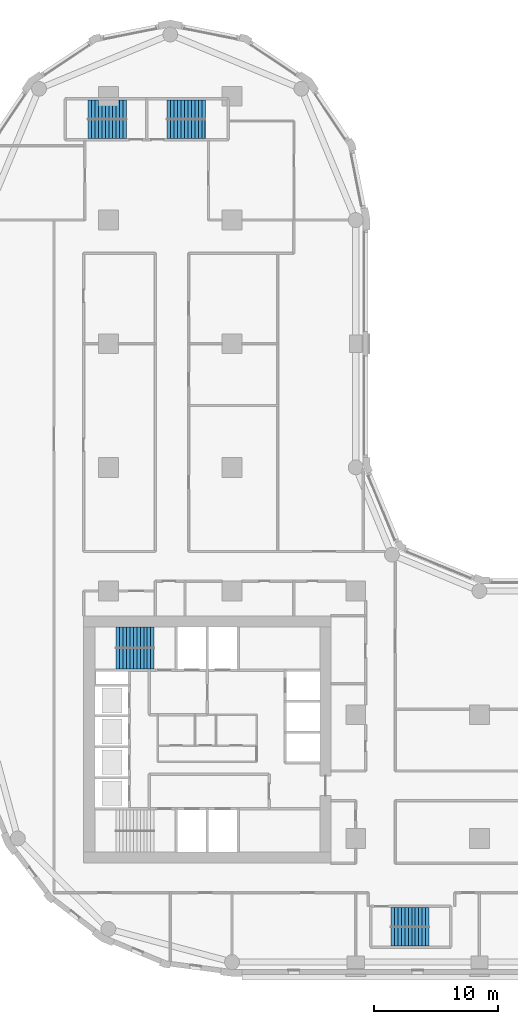
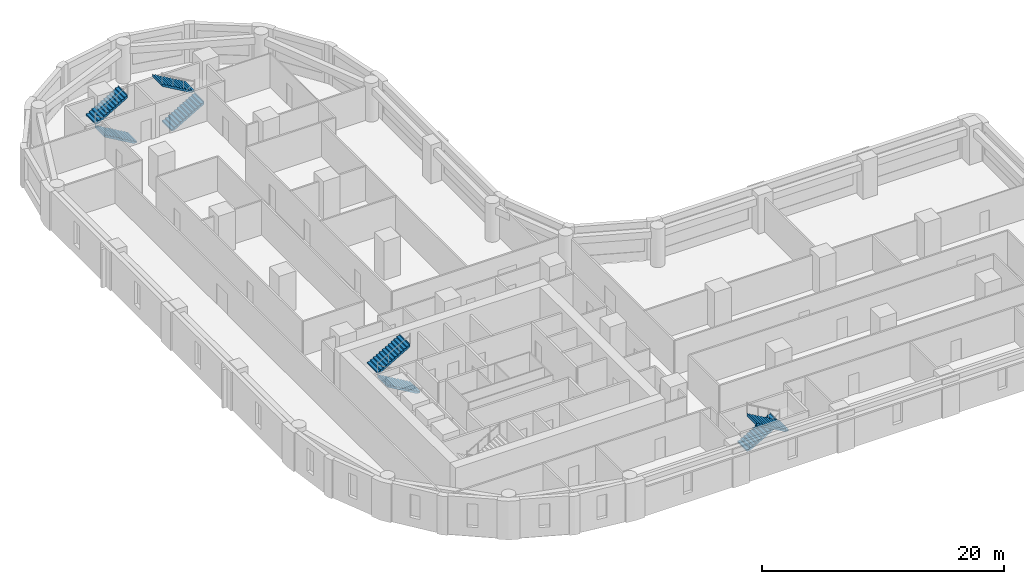
# One storey, part 8 of 10: 8 stair flights, 4 elements without a shape of their own.
"""IFC4 building model written with IfcOpenShell, lengths in metres."""

from ifc_helpers import new_model, si_unit, direction, frame, origin, place, context, subcontext, project, spatial, polyline, outline, extrude, material, type_object, element, aggregate, save


model = new_model("IFC4")

# Units and contexts
model_context = context("Model", 3, precision=1e-05, world=origin(), true_north=direction((0.0, 1.0)))
body_context = subcontext(model_context, "Body", "Model", "MODEL_VIEW")
ifc_project = project(units=[si_unit("LENGTHUNIT", "METRE"), si_unit("AREAUNIT", "SQUARE_METRE"), si_unit("VOLUMEUNIT", "CUBIC_METRE"), si_unit("PLANEANGLEUNIT", "RADIAN"), si_unit("MASSUNIT", "GRAM", prefix="KILO")], contexts=[model_context])

# Site, building, storey
site_placement = place(None, origin())
site = spatial("IfcSite", under=ifc_project, at=site_placement, CompositionType="ELEMENT")
building_placement = place(site_placement, origin())
building = spatial("IfcBuilding", under=site, at=building_placement, Name="Qaws Garden Tower", CompositionType="ELEMENT")
storey_placement = place(building_placement, frame((0.0, 0.0, 113.39990234375)))
storey = spatial("IfcBuildingStorey", under=building, at=storey_placement, Name="L28", CompositionType="ELEMENT", Elevation=113.39990234375)

# Stair, stair flights
ifc_material_1 = material(Name="Concrete C40", Category="concrete")
stair_type_1 = type_object("IfcStairType", Name="Exit stair 1350", PredefinedType="HALF_TURN_STAIR", material=ifc_material_1)
placement = place(storey_placement, origin())
stair_1 = element("IfcStair", 1, at=placement, inside=storey, type_object=stair_type_1, Name="Stair 5", PredefinedType="HALF_TURN_STAIR")
ifc_material_2 = material(Name="Concrete C40", Category="concrete")
stair_flight_type_1 = type_object("IfcStairFlightType", Name="Stair flight 1350", PredefinedType="STRAIGHT", material=ifc_material_2)
stair_flight_1_placement = place(storey_placement, frame((32.85009765625, 3.625, 0.0), z_axis=(0.0, 0.0, 1.0), x_axis=(1.0, 0.0, 0.0)))
stair_flight_1 = element("IfcStairFlight", 2, at=stair_flight_1_placement, type_object=stair_flight_type_1, Name="ST5 flight 1", NumberOfRisers=12, NumberOfTreads=11, PredefinedType="STRAIGHT", RiserHeight=0.1625, TreadLength=0.28, context=body_context, shape_type="SweptSolid", body=[
    extrude(outline(polyline([(-0.0029296875, 0.0), (-0.0029296875, 0.16259765625), (0.0, 0.16259765625), (0.280029296875, 0.16259765625), (0.280029296875, 0.324951171875), (0.56005859375, 0.324951171875), (0.56005859375, 0.487548828125), (0.840087890625, 0.487548828125), (0.840087890625, 0.64990234375), (1.1201171875, 0.64990234375), (1.1201171875, 0.8125), (1.39990234375, 0.8125), (1.39990234375, 0.97509765625), (1.679931640625, 0.97509765625), (1.679931640625, 1.137451171875), (1.9599609375, 1.137451171875), (1.9599609375, 1.300048828125), (2.239990234375, 1.300048828125), (2.239990234375, 1.46240234375), (2.52001953125, 1.46240234375), (2.52001953125, 1.625), (2.800048828125, 1.625), (2.800048828125, 1.78759765625), (3.080078125, 1.78759765625), (3.080078125, 1.949951171875), (3.0830078125, 1.949951171875), (3.0830078125, 1.6142578125), (3.080078125, 1.6142578125), (0.298583984375, 0.0), (-0.0029296875, 0.0)])), frame((0.0, 0.77490234375, 0.0), z_axis=(0.0, -1.0, 0.0), x_axis=(1.0, 0.0, 0.0)), (0.0, 0.0, 1.0), 1.550048828125),
])
stair_flight_2_placement = place(storey_placement, frame((35.929931640625, 2.074951171875, 1.9501953125), z_axis=(0.0, 0.0, 1.0), x_axis=(-1.0, 0.0, 0.0)))
stair_flight_2 = element("IfcStairFlight", 3, at=stair_flight_2_placement, type_object=stair_flight_type_1, Name="ST5 flight 2", NumberOfRisers=12, NumberOfTreads=11, PredefinedType="STRAIGHT", RiserHeight=0.1625, TreadLength=0.28, context=body_context, shape_type="SweptSolid", body=[
    extrude(outline(polyline([(-0.0029296875, 0.0), (-0.0029296875, 0.16259765625), (0.0, 0.16259765625), (0.280029296875, 0.16259765625), (0.280029296875, 0.324951171875), (0.56005859375, 0.324951171875), (0.56005859375, 0.487548828125), (0.840087890625, 0.487548828125), (0.840087890625, 0.64990234375), (1.1201171875, 0.64990234375), (1.1201171875, 0.8125), (1.39990234375, 0.8125), (1.39990234375, 0.97509765625), (1.679931640625, 0.97509765625), (1.679931640625, 1.137451171875), (1.9599609375, 1.137451171875), (1.9599609375, 1.300048828125), (2.239990234375, 1.300048828125), (2.239990234375, 1.46240234375), (2.52001953125, 1.46240234375), (2.52001953125, 1.625), (2.800048828125, 1.625), (2.800048828125, 1.78759765625), (3.080078125, 1.78759765625), (3.080078125, 1.949951171875), (3.0830078125, 1.949951171875), (3.0830078125, 1.6142578125), (3.080078125, 1.6142578125), (0.298583984375, 0.0), (-0.0029296875, 0.0)])), frame((0.0, 0.77490234375, 0.0), z_axis=(0.0, -1.0, 0.0), x_axis=(1.0, 0.0, 0.0)), (0.0, 0.0, 1.0), 1.550048828125),
])
aggregate(stair_1, [stair_flight_1, stair_flight_2])

stair_2 = element("IfcStair", 4, at=placement, inside=storey, type_object=stair_type_1, Name="Stair 6", PredefinedType="HALF_TURN_STAIR")
stair_flight_3_placement = place(storey_placement, frame((11.449951171875, 67.375, 0.0), z_axis=(0.0, 0.0, 1.0), x_axis=(-1.0, 0.0, 0.0)))
stair_flight_3 = element("IfcStairFlight", 5, at=stair_flight_3_placement, type_object=stair_flight_type_1, Name="ST6 flight 1", NumberOfRisers=12, NumberOfTreads=11, PredefinedType="STRAIGHT", RiserHeight=0.1625, TreadLength=0.28, context=body_context, shape_type="SweptSolid", body=[
    extrude(outline(polyline([(-0.0029296875, 0.0), (-0.0029296875, 0.16259765625), (0.0, 0.16259765625), (0.280029296875, 0.16259765625), (0.280029296875, 0.324951171875), (0.56005859375, 0.324951171875), (0.56005859375, 0.487548828125), (0.840087890625, 0.487548828125), (0.840087890625, 0.64990234375), (1.1201171875, 0.64990234375), (1.1201171875, 0.8125), (1.39990234375, 0.8125), (1.39990234375, 0.97509765625), (1.679931640625, 0.97509765625), (1.679931640625, 1.137451171875), (1.9599609375, 1.137451171875), (1.9599609375, 1.300048828125), (2.239990234375, 1.300048828125), (2.239990234375, 1.46240234375), (2.52001953125, 1.46240234375), (2.52001953125, 1.625), (2.800048828125, 1.625), (2.800048828125, 1.78759765625), (3.080078125, 1.78759765625), (3.080078125, 1.949951171875), (3.0830078125, 1.949951171875), (3.0830078125, 1.6142578125), (3.080078125, 1.6142578125), (0.298583984375, 0.0), (-0.0029296875, 0.0)])), frame((0.0, 0.77490234375, 0.0), z_axis=(0.0, -1.0, 0.0), x_axis=(1.0, 0.0, 0.0)), (0.0, 0.0, 1.0), 1.550048828125),
])
stair_flight_4_placement = place(storey_placement, frame((8.3701171875, 68.925048828125, 1.9501953125), z_axis=(0.0, 0.0, 1.0), x_axis=(1.0, 0.0, 0.0)))
stair_flight_4 = element("IfcStairFlight", 6, at=stair_flight_4_placement, type_object=stair_flight_type_1, Name="ST6 flight 2", NumberOfRisers=12, NumberOfTreads=11, PredefinedType="STRAIGHT", RiserHeight=0.1625, TreadLength=0.28, context=body_context, shape_type="SweptSolid", body=[
    extrude(outline(polyline([(-0.0029296875, 0.0), (-0.0029296875, 0.16259765625), (0.0, 0.16259765625), (0.280029296875, 0.16259765625), (0.280029296875, 0.324951171875), (0.56005859375, 0.324951171875), (0.56005859375, 0.487548828125), (0.840087890625, 0.487548828125), (0.840087890625, 0.64990234375), (1.1201171875, 0.64990234375), (1.1201171875, 0.8125), (1.39990234375, 0.8125), (1.39990234375, 0.97509765625), (1.679931640625, 0.97509765625), (1.679931640625, 1.137451171875), (1.9599609375, 1.137451171875), (1.9599609375, 1.300048828125), (2.239990234375, 1.300048828125), (2.239990234375, 1.46240234375), (2.52001953125, 1.46240234375), (2.52001953125, 1.625), (2.800048828125, 1.625), (2.800048828125, 1.78759765625), (3.080078125, 1.78759765625), (3.080078125, 1.949951171875), (3.0830078125, 1.949951171875), (3.0830078125, 1.6142578125), (3.080078125, 1.6142578125), (0.298583984375, 0.0), (-0.0029296875, 0.0)])), frame((0.0, 0.77490234375, 0.0), z_axis=(0.0, -1.0, 0.0), x_axis=(1.0, 0.0, 0.0)), (0.0, 0.0, 1.0), 1.550048828125),
])
aggregate(stair_2, [stair_flight_3, stair_flight_4])

stair_3 = element("IfcStair", 7, at=placement, inside=storey, type_object=stair_type_1, Name="Stair 7", PredefinedType="HALF_TURN_STAIR")
stair_flight_5_placement = place(storey_placement, frame((14.75, 67.375, 0.0), z_axis=(0.0, 0.0, 1.0), x_axis=(1.0, 0.0, 0.0)))
stair_flight_5 = element("IfcStairFlight", 8, at=stair_flight_5_placement, type_object=stair_flight_type_1, Name="ST7 flight 1", NumberOfRisers=12, NumberOfTreads=11, PredefinedType="STRAIGHT", RiserHeight=0.1625, TreadLength=0.28, context=body_context, shape_type="SweptSolid", body=[
    extrude(outline(polyline([(-0.0029296875, 0.0), (-0.0029296875, 0.16259765625), (0.0, 0.16259765625), (0.280029296875, 0.16259765625), (0.280029296875, 0.324951171875), (0.56005859375, 0.324951171875), (0.56005859375, 0.487548828125), (0.840087890625, 0.487548828125), (0.840087890625, 0.64990234375), (1.1201171875, 0.64990234375), (1.1201171875, 0.8125), (1.39990234375, 0.8125), (1.39990234375, 0.97509765625), (1.679931640625, 0.97509765625), (1.679931640625, 1.137451171875), (1.9599609375, 1.137451171875), (1.9599609375, 1.300048828125), (2.239990234375, 1.300048828125), (2.239990234375, 1.46240234375), (2.52001953125, 1.46240234375), (2.52001953125, 1.625), (2.800048828125, 1.625), (2.800048828125, 1.78759765625), (3.080078125, 1.78759765625), (3.080078125, 1.949951171875), (3.0830078125, 1.949951171875), (3.0830078125, 1.6142578125), (3.080078125, 1.6142578125), (0.298583984375, 0.0), (-0.0029296875, 0.0)])), frame((0.0, 0.77490234375, 0.0), z_axis=(0.0, -1.0, 0.0), x_axis=(1.0, 0.0, 0.0)), (0.0, 0.0, 1.0), 1.550048828125),
])
stair_flight_6_placement = place(storey_placement, frame((17.830078125, 68.925048828125, 1.9501953125), z_axis=(0.0, 0.0, 1.0), x_axis=(-1.0, 0.0, 0.0)))
stair_flight_6 = element("IfcStairFlight", 9, at=stair_flight_6_placement, type_object=stair_flight_type_1, Name="ST7 flight 2", NumberOfRisers=12, NumberOfTreads=11, PredefinedType="STRAIGHT", RiserHeight=0.1625, TreadLength=0.28, context=body_context, shape_type="SweptSolid", body=[
    extrude(outline(polyline([(-0.0029296875, 0.0), (-0.0029296875, 0.16259765625), (0.0, 0.16259765625), (0.280029296875, 0.16259765625), (0.280029296875, 0.324951171875), (0.56005859375, 0.324951171875), (0.56005859375, 0.487548828125), (0.840087890625, 0.487548828125), (0.840087890625, 0.64990234375), (1.1201171875, 0.64990234375), (1.1201171875, 0.8125), (1.39990234375, 0.8125), (1.39990234375, 0.97509765625), (1.679931640625, 0.97509765625), (1.679931640625, 1.137451171875), (1.9599609375, 1.137451171875), (1.9599609375, 1.300048828125), (2.239990234375, 1.300048828125), (2.239990234375, 1.46240234375), (2.52001953125, 1.46240234375), (2.52001953125, 1.625), (2.800048828125, 1.625), (2.800048828125, 1.78759765625), (3.080078125, 1.78759765625), (3.080078125, 1.949951171875), (3.0830078125, 1.949951171875), (3.0830078125, 1.6142578125), (3.080078125, 1.6142578125), (0.298583984375, 0.0), (-0.0029296875, 0.0)])), frame((0.0, 0.77490234375, 0.0), z_axis=(0.0, -1.0, 0.0), x_axis=(1.0, 0.0, 0.0)), (0.0, 0.0, 1.0), 1.550048828125),
])
aggregate(stair_3, [stair_flight_5, stair_flight_6])

ifc_material_3 = material(Name="Concrete C40", Category="concrete")
stair_type_2 = type_object("IfcStairType", Name="Exit stair 1500", PredefinedType="HALF_TURN_STAIR", material=ifc_material_3)
stair_4 = element("IfcStair", 10, at=placement, inside=storey, type_object=stair_type_2, Name="Stair 4", PredefinedType="HALF_TURN_STAIR")
ifc_material_4 = material(Name="Concrete C40", Category="concrete")
stair_flight_type_2 = type_object("IfcStairFlightType", Name="Stair flight 1500", PredefinedType="STRAIGHT", material=ifc_material_4)
stair_flight_7_placement = place(storey_placement, frame((13.699951171875, 24.550048828125, 0.0), z_axis=(0.0, 0.0, 1.0), x_axis=(-1.0, 0.0, 0.0)))
stair_flight_7 = element("IfcStairFlight", 11, at=stair_flight_7_placement, type_object=stair_flight_type_2, Name="ST4 flight 1", NumberOfRisers=12, NumberOfTreads=11, PredefinedType="STRAIGHT", RiserHeight=0.1625, TreadLength=0.28, context=body_context, shape_type="SweptSolid", body=[
    extrude(outline(polyline([(-0.0029296875, 0.0), (-0.0029296875, 0.16259765625), (0.0, 0.16259765625), (0.280029296875, 0.16259765625), (0.280029296875, 0.324951171875), (0.56005859375, 0.324951171875), (0.56005859375, 0.487548828125), (0.840087890625, 0.487548828125), (0.840087890625, 0.64990234375), (1.1201171875, 0.64990234375), (1.1201171875, 0.8125), (1.39990234375, 0.8125), (1.39990234375, 0.97509765625), (1.679931640625, 0.97509765625), (1.679931640625, 1.137451171875), (1.9599609375, 1.137451171875), (1.9599609375, 1.300048828125), (2.239990234375, 1.300048828125), (2.239990234375, 1.46240234375), (2.52001953125, 1.46240234375), (2.52001953125, 1.625), (2.800048828125, 1.625), (2.800048828125, 1.78759765625), (3.080078125, 1.78759765625), (3.080078125, 1.949951171875), (3.0830078125, 1.949951171875), (3.0830078125, 1.6142578125), (3.080078125, 1.6142578125), (0.298583984375, 0.0), (-0.0029296875, 0.0)])), frame((0.0, 0.844970703125, 0.0), z_axis=(0.0, -1.0, 0.0), x_axis=(1.0, 0.0, 0.0)), (0.0, 0.0, 1.0), 1.68994140625),
])
stair_flight_8_placement = place(storey_placement, frame((10.6201171875, 26.25, 1.9501953125), z_axis=(0.0, 0.0, 1.0), x_axis=(1.0, 0.0, 0.0)))
stair_flight_8 = element("IfcStairFlight", 12, at=stair_flight_8_placement, type_object=stair_flight_type_2, Name="ST4 flight 2", NumberOfRisers=12, NumberOfTreads=11, PredefinedType="STRAIGHT", RiserHeight=0.1625, TreadLength=0.28, context=body_context, shape_type="SweptSolid", body=[
    extrude(outline(polyline([(-0.0029296875, 0.0), (-0.0029296875, 0.16259765625), (0.0, 0.16259765625), (0.280029296875, 0.16259765625), (0.280029296875, 0.324951171875), (0.56005859375, 0.324951171875), (0.56005859375, 0.487548828125), (0.840087890625, 0.487548828125), (0.840087890625, 0.64990234375), (1.1201171875, 0.64990234375), (1.1201171875, 0.8125), (1.39990234375, 0.8125), (1.39990234375, 0.97509765625), (1.679931640625, 0.97509765625), (1.679931640625, 1.137451171875), (1.9599609375, 1.137451171875), (1.9599609375, 1.300048828125), (2.239990234375, 1.300048828125), (2.239990234375, 1.46240234375), (2.52001953125, 1.46240234375), (2.52001953125, 1.625), (2.800048828125, 1.625), (2.800048828125, 1.78759765625), (3.080078125, 1.78759765625), (3.080078125, 1.949951171875), (3.0830078125, 1.949951171875), (3.0830078125, 1.6142578125), (3.080078125, 1.6142578125), (0.298583984375, 0.0), (-0.0029296875, 0.0)])), frame((0.0, 0.844970703125, 0.0), z_axis=(0.0, -1.0, 0.0), x_axis=(1.0, 0.0, 0.0)), (0.0, 0.0, 1.0), 1.68994140625),
])
aggregate(stair_4, [stair_flight_7, stair_flight_8])

save(model, "model.ifc")
